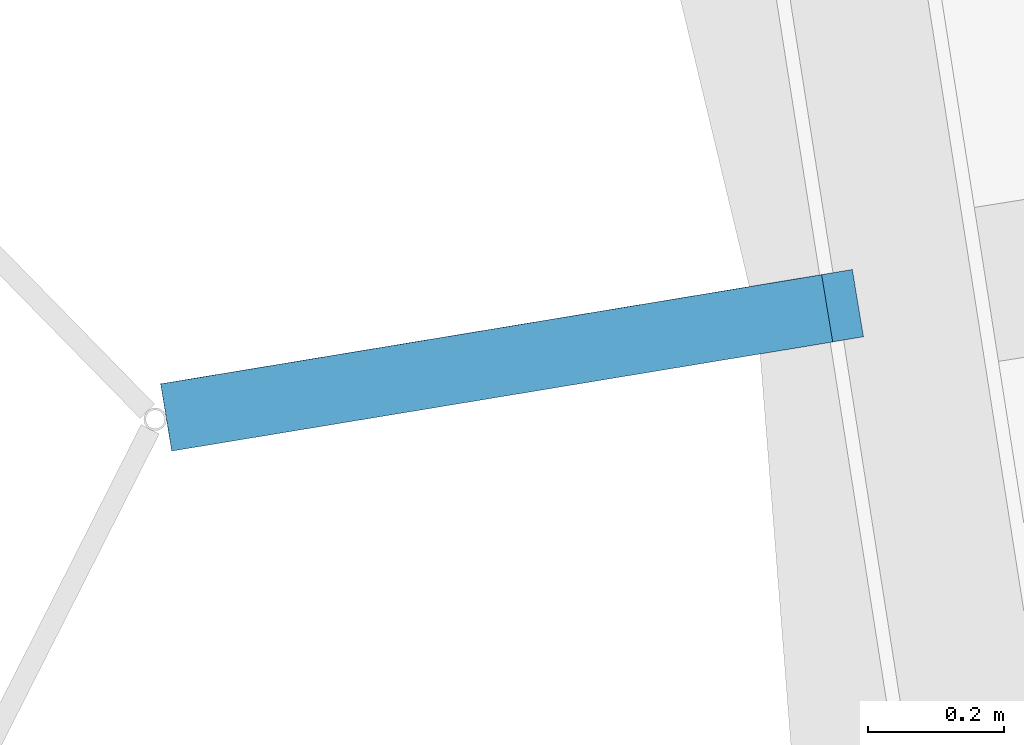
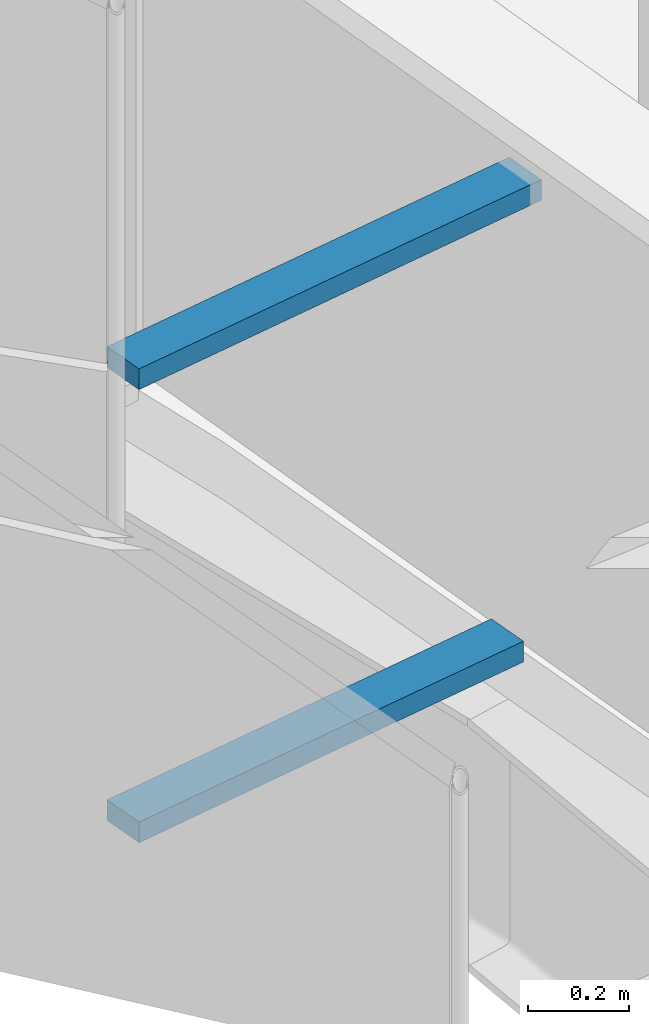
# One storey, part 207 of 483: 2 discrete accessories.
"""IFC4 building model written with IfcOpenShell, lengths in metres."""

from ifc_helpers import new_model, si_unit, direction, frame, origin, origin_2d, place, context, subcontext, project, spatial, rectangle, extrude, material, type_object, element, save


model = new_model("IFC4")

# Units and contexts
model_context = context("Model", 3, precision=1e-05, world=origin(), true_north=direction((0.0, 1.0)))
body_context = subcontext(model_context, "Body", "Model", "MODEL_VIEW")
ifc_project = project(units=[si_unit("LENGTHUNIT", "METRE"), si_unit("AREAUNIT", "SQUARE_METRE"), si_unit("VOLUMEUNIT", "CUBIC_METRE"), si_unit("PLANEANGLEUNIT", "RADIAN"), si_unit("MASSUNIT", "GRAM", prefix="KILO")], contexts=[model_context])

# Site, building, storey
site_placement = place(None, origin())
site = spatial("IfcSite", under=ifc_project, at=site_placement, CompositionType="ELEMENT")
building_placement = place(site_placement, origin())
building = spatial("IfcBuilding", under=site, at=building_placement, Name="Parallax Yard Mobility Hub", CompositionType="ELEMENT")
storey_placement = place(building_placement, frame((0.0, 0.0, 13.199951171875)))
storey = spatial("IfcBuildingStorey", under=building, at=storey_placement, Name="L04", CompositionType="ELEMENT", Elevation=13.199951171875)

# Discrete accessories
ifc_material = material(Name="Steel ASTM A36, hot-dip galvanised", Category="steel")
discrete_accessory_type = type_object("IfcDiscreteAccessoryType", Name="Hinge bracket plate 100x50", PredefinedType="BRACKET", material=ifc_material)
discrete_accessory_1_placement = place(storey_placement, frame((194.226318359375, 93.439697265625, -0.02490234375), z_axis=(0.0, 0.0, 1.0), x_axis=(-0.986643332085, -0.162895473395, 0.0)))
element("IfcDiscreteAccessory", 1, at=discrete_accessory_1_placement, inside=storey, type_object=discrete_accessory_type, Name="Hinge bracket plate bay 22.4 level L04", PredefinedType="BRACKET", context=body_context, shape_type="SweptSolid", body=[
    extrude(rectangle(XDim=0.984130859375, YDim=0.10009765625, at=origin_2d()), origin(), (0.0, 0.0, 1.0), 0.050048828125),
])
discrete_accessory_2_placement = place(storey_placement, frame((194.248779296875, 93.443603515625, 1.06982421875), z_axis=(0.0, 0.0, 1.0), x_axis=(-0.986643332085, -0.162895473395, 0.0)))
element("IfcDiscreteAccessory", 2, at=discrete_accessory_2_placement, inside=storey, type_object=discrete_accessory_type, Name="Hinge bracket plate bay 22.4 level L04", PredefinedType="BRACKET", context=body_context, shape_type="SweptSolid", body=[
    extrude(rectangle(XDim=1.030029296875, YDim=0.10009765625, at=origin_2d()), origin(), (0.0, 0.0, 1.0), 0.050048828125),
])

save(model, "model.ifc")
